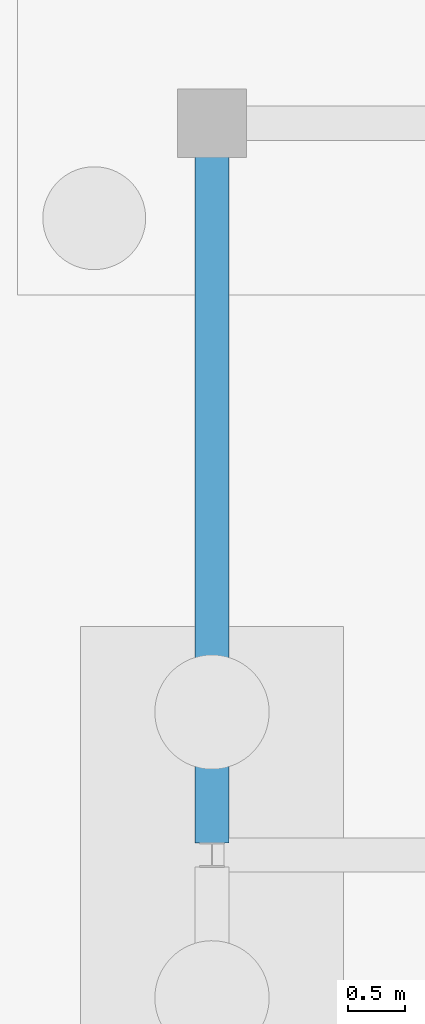
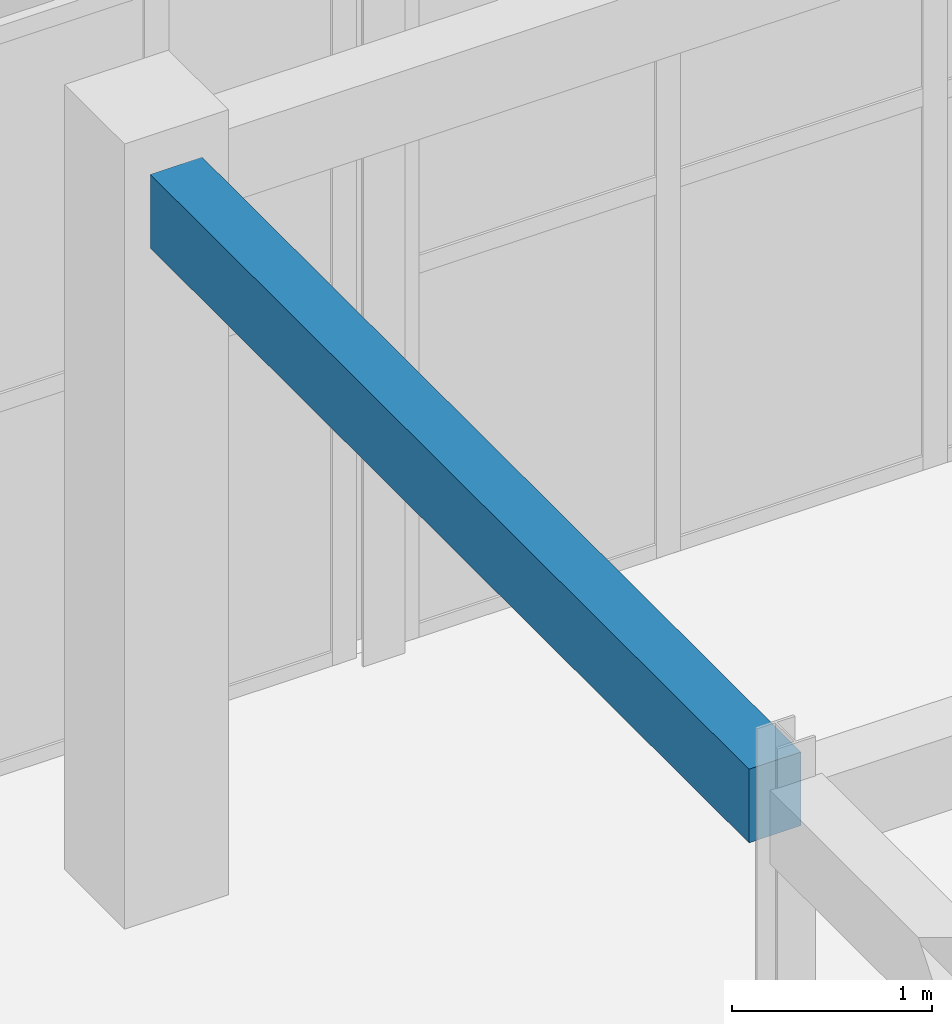
# One storey, part 114 of 192: 1 beam.
"""IFC4 building model written with IfcOpenShell, lengths in metres."""

from ifc_helpers import new_model, si_unit, direction, frame, origin, origin_2d, place, context, subcontext, project, spatial, rectangle, extrude, material, material_profile, profile_set, type_object, element, save


model = new_model("IFC4")

# Units and contexts
model_context = context("Model", 3, precision=1e-05, world=origin(), true_north=direction((0.0, 1.0)))
body_context = subcontext(model_context, "Body", "Model", "MODEL_VIEW")
ifc_project = project(units=[si_unit("LENGTHUNIT", "METRE"), si_unit("AREAUNIT", "SQUARE_METRE"), si_unit("VOLUMEUNIT", "CUBIC_METRE"), si_unit("PLANEANGLEUNIT", "RADIAN"), si_unit("MASSUNIT", "GRAM", prefix="KILO")], contexts=[model_context])

# Site, building, storey
site_placement = place(None, origin())
site = spatial("IfcSite", under=ifc_project, at=site_placement, CompositionType="ELEMENT")
building_placement = place(site_placement, origin())
building = spatial("IfcBuilding", under=site, at=building_placement, Name="Trelvath General Hospital", CompositionType="ELEMENT")
storey_placement = place(building_placement, origin())
storey = spatial("IfcBuildingStorey", under=building, at=storey_placement, Name="L00", CompositionType="ELEMENT", Elevation=0.0)

# Beam
ifc_material = material(Name="Concrete C35/45", Category="concrete")
ifc_material_profile = material_profile(ifc_material, rectangle(XDim=0.300048828125, YDim=0.449951171875, at=origin_2d()), Name="RCB300x450")
ifc_profile_set = profile_set([ifc_material_profile], Name="Concrete C35/45")
beam_type = type_object("IfcBeamType", Name="Beam RC300x450", PredefinedType="BEAM", material=ifc_profile_set)
beam_placement = place(storey_placement, frame((107.199951171875, 79.305908203125, 4.3349609375), z_axis=(0.0, 1.0, 0.0), x_axis=(-1.0, 0.0, 0.0)))
element("IfcBeam", 1, at=beam_placement, inside=storey, type_object=beam_type, Name="Cube Interior Ring Beam CUBE-E-T0 L00", PredefinedType="BEAM", context=body_context, shape_type="SweptSolid", body=[
    extrude(rectangle(XDim=0.300048828125, YDim=0.449951171875, at=origin_2d()), origin(), (0.0, 0.0, 1.0), 5.998046875),
])

save(model, "model.ifc")
